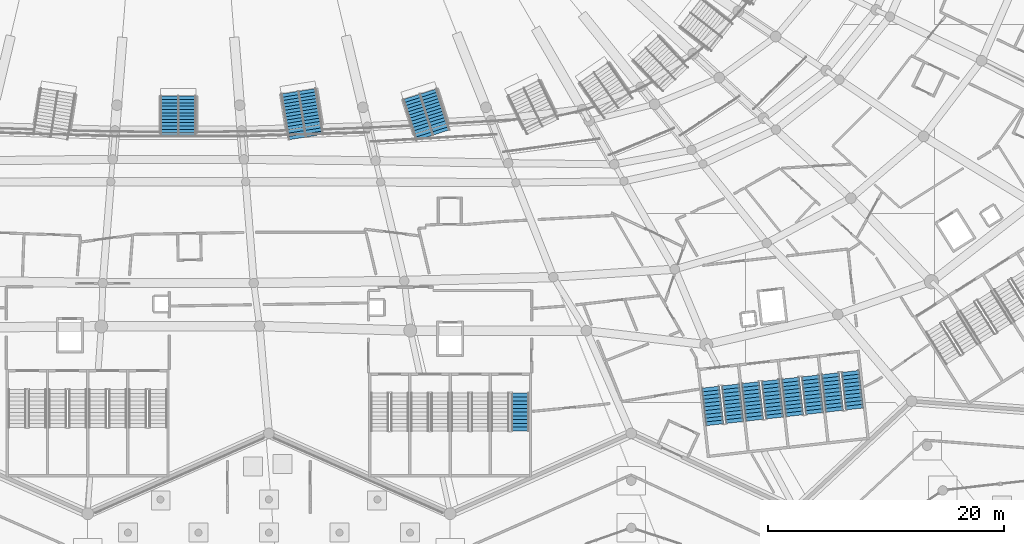
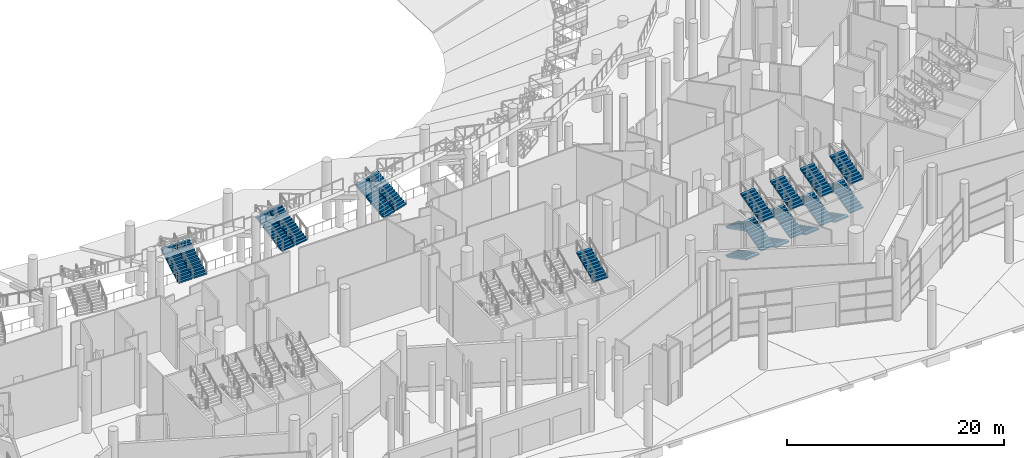
# One storey, part 166 of 255: 23 stair flights, 8 elements without a shape of their own.
"""IFC4 building model written with IfcOpenShell, lengths in metres."""

from ifc_helpers import new_model, si_unit, direction, frame, origin, place, context, subcontext, project, spatial, polyline, outline, extrude, material, type_object, element, aggregate, save


model = new_model("IFC4")

# Units and contexts
model_context = context("Model", 3, precision=1e-05, world=origin(), true_north=direction((0.0, 1.0)))
body_context = subcontext(model_context, "Body", "Model", "MODEL_VIEW")
ifc_project = project(units=[si_unit("LENGTHUNIT", "METRE"), si_unit("AREAUNIT", "SQUARE_METRE"), si_unit("VOLUMEUNIT", "CUBIC_METRE"), si_unit("PLANEANGLEUNIT", "RADIAN"), si_unit("MASSUNIT", "GRAM", prefix="KILO")], contexts=[model_context])

# Site, building, storey
site_placement = place(None, origin())
site = spatial("IfcSite", under=ifc_project, at=site_placement, CompositionType="ELEMENT")
building_placement = place(site_placement, origin())
building = spatial("IfcBuilding", under=site, at=building_placement, Name="Meseta Stadium", CompositionType="ELEMENT")
storey_placement = place(building_placement, origin())
storey = spatial("IfcBuildingStorey", under=building, at=storey_placement, Name="L00", CompositionType="ELEMENT", Elevation=0.0)

# Stair, stair flight
ifc_material_1 = material(Name="Concrete C40/50", Category="concrete")
stair_type_1 = type_object("IfcStairType", Name="Exit stair 4 flights 148 mm risers", PredefinedType="HALF_TURN_STAIR", material=ifc_material_1)
stair_1_placement = place(storey_placement, origin())
stair_1 = element("IfcStair", 1, at=stair_1_placement, inside=storey, type_object=stair_type_1, Name="ST100 L00", PredefinedType="HALF_TURN_STAIR")
ifc_material_2 = material(Name="Concrete C40/50", Category="concrete")
stair_flight_type_1 = type_object("IfcStairFlightType", Name="Exit stair flight 148 mm risers, 4 per storey", PredefinedType="STRAIGHT", material=ifc_material_2)
stair_flight_1_placement = place(storey_placement, frame((28.949951171875, -98.39990234375, 4.875), z_axis=(0.0, 0.0, 1.0), x_axis=(0.0, 1.0, 0.0)))
stair_flight_1 = element("IfcStairFlight", 2, at=stair_flight_1_placement, type_object=stair_flight_type_1, Name="ST100 L00 flight 4", NumberOfRisers=11, NumberOfTreads=10, PredefinedType="STRAIGHT", RiserHeight=0.147727273, TreadLength=0.32, context=body_context, shape_type="SweptSolid", body=[
    extrude(outline(polyline([(0.0, 0.0), (0.0, 0.147705078125), (0.320068359375, 0.147705078125), (0.320068359375, 0.29541015625), (0.639892578125, 0.29541015625), (0.639892578125, 0.443115234375), (0.9599609375, 0.443115234375), (0.9599609375, 0.5908203125), (1.280029296875, 0.5908203125), (1.280029296875, 0.738525390625), (1.60009765625, 0.738525390625), (1.60009765625, 0.886474609375), (1.919921875, 0.886474609375), (1.919921875, 1.0341796875), (2.239990234375, 1.0341796875), (2.239990234375, 1.181884765625), (2.56005859375, 1.181884765625), (2.56005859375, 1.32958984375), (2.8798828125, 1.32958984375), (2.8798828125, 1.477294921875), (3.199951171875, 1.477294921875), (3.199951171875, 1.312255859375), (0.357666015625, 0.0), (0.0, 0.0)])), frame((0.0, 0.75, 0.0), z_axis=(0.0, -1.0, 0.0), x_axis=(1.0, 0.0, 0.0)), (0.0, 0.0, 1.0), 1.5),
])
aggregate(stair_1, [stair_flight_1])

# Stair, stair flights
stair_2_placement = place(storey_placement, origin())
stair_2 = element("IfcStair", 3, at=stair_2_placement, inside=storey, type_object=stair_type_1, Name="ST101 L00", PredefinedType="HALF_TURN_STAIR")
stair_flight_2_placement = place(storey_placement, frame((45.04736328125, -94.687744140625, 0.0), z_axis=(0.0, 0.0, 1.0), x_axis=(0.11196446867, -0.993712210731, 0.0)))
stair_flight_2 = element("IfcStairFlight", 4, at=stair_flight_2_placement, type_object=stair_flight_type_1, Name="ST101 L00 flight 1", NumberOfRisers=11, NumberOfTreads=10, PredefinedType="STRAIGHT", RiserHeight=0.147727273, TreadLength=0.32, context=body_context, shape_type="SweptSolid", body=[
    extrude(outline(polyline([(0.0, 0.0), (0.0, 0.147705078125), (0.320068359375, 0.147705078125), (0.320068359375, 0.29541015625), (0.639892578125, 0.29541015625), (0.639892578125, 0.443115234375), (0.9599609375, 0.443115234375), (0.9599609375, 0.5908203125), (1.280029296875, 0.5908203125), (1.280029296875, 0.738525390625), (1.60009765625, 0.738525390625), (1.60009765625, 0.886474609375), (1.919921875, 0.886474609375), (1.919921875, 1.0341796875), (2.239990234375, 1.0341796875), (2.239990234375, 1.181884765625), (2.56005859375, 1.181884765625), (2.56005859375, 1.32958984375), (2.8798828125, 1.32958984375), (2.8798828125, 1.477294921875), (3.199951171875, 1.477294921875), (3.199951171875, 1.312255859375), (0.357666015625, 0.0), (0.0, 0.0)])), frame((0.0, 0.75, 0.0), z_axis=(0.0, -1.0, 0.0), x_axis=(1.0, 0.0, 0.0)), (0.0, 0.0, 1.0), 1.5),
])
stair_flight_3_placement = place(storey_placement, frame((47.094970703125, -97.67724609375, 1.625), z_axis=(0.0, 0.0, 1.0), x_axis=(-0.11196446867, 0.993712210731, 0.0)))
stair_flight_3 = element("IfcStairFlight", 5, at=stair_flight_3_placement, type_object=stair_flight_type_1, Name="ST101 L00 flight 2", NumberOfRisers=11, NumberOfTreads=10, PredefinedType="STRAIGHT", RiserHeight=0.147727273, TreadLength=0.32, context=body_context, shape_type="SweptSolid", body=[
    extrude(outline(polyline([(0.0, 0.0), (0.0, 0.147705078125), (0.320068359375, 0.147705078125), (0.320068359375, 0.29541015625), (0.639892578125, 0.29541015625), (0.639892578125, 0.443115234375), (0.9599609375, 0.443115234375), (0.9599609375, 0.5908203125), (1.280029296875, 0.5908203125), (1.280029296875, 0.738525390625), (1.60009765625, 0.738525390625), (1.60009765625, 0.886474609375), (1.919921875, 0.886474609375), (1.919921875, 1.0341796875), (2.239990234375, 1.0341796875), (2.239990234375, 1.181884765625), (2.56005859375, 1.181884765625), (2.56005859375, 1.32958984375), (2.8798828125, 1.32958984375), (2.8798828125, 1.477294921875), (3.199951171875, 1.477294921875), (3.199951171875, 1.312255859375), (0.357666015625, 0.0), (0.0, 0.0)])), frame((0.0, 0.75, 0.0), z_axis=(0.0, -1.0, 0.0), x_axis=(1.0, 0.0, 0.0)), (0.0, 0.0, 1.0), 1.5),
])
stair_flight_4_placement = place(storey_placement, frame((45.04736328125, -94.687744140625, 3.25), z_axis=(0.0, 0.0, 1.0), x_axis=(0.11196446867, -0.993712210731, 0.0)))
stair_flight_4 = element("IfcStairFlight", 6, at=stair_flight_4_placement, type_object=stair_flight_type_1, Name="ST101 L00 flight 3", NumberOfRisers=11, NumberOfTreads=10, PredefinedType="STRAIGHT", RiserHeight=0.147727273, TreadLength=0.32, context=body_context, shape_type="SweptSolid", body=[
    extrude(outline(polyline([(0.0, 0.0), (0.0, 0.147705078125), (0.320068359375, 0.147705078125), (0.320068359375, 0.29541015625), (0.639892578125, 0.29541015625), (0.639892578125, 0.443115234375), (0.9599609375, 0.443115234375), (0.9599609375, 0.5908203125), (1.280029296875, 0.5908203125), (1.280029296875, 0.738525390625), (1.60009765625, 0.738525390625), (1.60009765625, 0.886474609375), (1.919921875, 0.886474609375), (1.919921875, 1.0341796875), (2.239990234375, 1.0341796875), (2.239990234375, 1.181884765625), (2.56005859375, 1.181884765625), (2.56005859375, 1.32958984375), (2.8798828125, 1.32958984375), (2.8798828125, 1.477294921875), (3.199951171875, 1.477294921875), (3.199951171875, 1.312255859375), (0.357666015625, 0.0), (0.0, 0.0)])), frame((0.0, 0.75, 0.0), z_axis=(0.0, -1.0, 0.0), x_axis=(1.0, 0.0, 0.0)), (0.0, 0.0, 1.0), 1.5),
])
stair_flight_5_placement = place(storey_placement, frame((47.094970703125, -97.67724609375, 4.875), z_axis=(0.0, 0.0, 1.0), x_axis=(-0.11196446867, 0.993712210731, 0.0)))
stair_flight_5 = element("IfcStairFlight", 7, at=stair_flight_5_placement, type_object=stair_flight_type_1, Name="ST101 L00 flight 4", NumberOfRisers=11, NumberOfTreads=10, PredefinedType="STRAIGHT", RiserHeight=0.147727273, TreadLength=0.32, context=body_context, shape_type="SweptSolid", body=[
    extrude(outline(polyline([(0.0, 0.0), (0.0, 0.147705078125), (0.320068359375, 0.147705078125), (0.320068359375, 0.29541015625), (0.639892578125, 0.29541015625), (0.639892578125, 0.443115234375), (0.9599609375, 0.443115234375), (0.9599609375, 0.5908203125), (1.280029296875, 0.5908203125), (1.280029296875, 0.738525390625), (1.60009765625, 0.738525390625), (1.60009765625, 0.886474609375), (1.919921875, 0.886474609375), (1.919921875, 1.0341796875), (2.239990234375, 1.0341796875), (2.239990234375, 1.181884765625), (2.56005859375, 1.181884765625), (2.56005859375, 1.32958984375), (2.8798828125, 1.32958984375), (2.8798828125, 1.477294921875), (3.199951171875, 1.477294921875), (3.199951171875, 1.312255859375), (0.357666015625, 0.0), (0.0, 0.0)])), frame((0.0, 0.75, 0.0), z_axis=(0.0, -1.0, 0.0), x_axis=(1.0, 0.0, 0.0)), (0.0, 0.0, 1.0), 1.5),
])
aggregate(stair_2, [stair_flight_2, stair_flight_3, stair_flight_4, stair_flight_5])

stair_3_placement = place(storey_placement, origin())
stair_3 = element("IfcStair", 8, at=stair_3_placement, inside=storey, type_object=stair_type_1, Name="ST102 L00", PredefinedType="HALF_TURN_STAIR")
stair_flight_6_placement = place(storey_placement, frame((48.426025390625, -94.306884765625, 0.0), z_axis=(0.0, 0.0, 1.0), x_axis=(0.11196446867, -0.993712210731, 0.0)))
stair_flight_6 = element("IfcStairFlight", 9, at=stair_flight_6_placement, type_object=stair_flight_type_1, Name="ST102 L00 flight 1", NumberOfRisers=11, NumberOfTreads=10, PredefinedType="STRAIGHT", RiserHeight=0.147727273, TreadLength=0.32, context=body_context, shape_type="SweptSolid", body=[
    extrude(outline(polyline([(0.0, 0.0), (0.0, 0.147705078125), (0.320068359375, 0.147705078125), (0.320068359375, 0.29541015625), (0.639892578125, 0.29541015625), (0.639892578125, 0.443115234375), (0.9599609375, 0.443115234375), (0.9599609375, 0.5908203125), (1.280029296875, 0.5908203125), (1.280029296875, 0.738525390625), (1.60009765625, 0.738525390625), (1.60009765625, 0.886474609375), (1.919921875, 0.886474609375), (1.919921875, 1.0341796875), (2.239990234375, 1.0341796875), (2.239990234375, 1.181884765625), (2.56005859375, 1.181884765625), (2.56005859375, 1.32958984375), (2.8798828125, 1.32958984375), (2.8798828125, 1.477294921875), (3.199951171875, 1.477294921875), (3.199951171875, 1.312255859375), (0.357666015625, 0.0), (0.0, 0.0)])), frame((0.0, 0.75, 0.0), z_axis=(0.0, -1.0, 0.0), x_axis=(1.0, 0.0, 0.0)), (0.0, 0.0, 1.0), 1.5),
])
stair_flight_7_placement = place(storey_placement, frame((50.4736328125, -97.29638671875, 1.625), z_axis=(0.0, 0.0, 1.0), x_axis=(-0.11196446867, 0.993712210731, 0.0)))
stair_flight_7 = element("IfcStairFlight", 10, at=stair_flight_7_placement, type_object=stair_flight_type_1, Name="ST102 L00 flight 2", NumberOfRisers=11, NumberOfTreads=10, PredefinedType="STRAIGHT", RiserHeight=0.147727273, TreadLength=0.32, context=body_context, shape_type="SweptSolid", body=[
    extrude(outline(polyline([(0.0, 0.0), (0.0, 0.147705078125), (0.320068359375, 0.147705078125), (0.320068359375, 0.29541015625), (0.639892578125, 0.29541015625), (0.639892578125, 0.443115234375), (0.9599609375, 0.443115234375), (0.9599609375, 0.5908203125), (1.280029296875, 0.5908203125), (1.280029296875, 0.738525390625), (1.60009765625, 0.738525390625), (1.60009765625, 0.886474609375), (1.919921875, 0.886474609375), (1.919921875, 1.0341796875), (2.239990234375, 1.0341796875), (2.239990234375, 1.181884765625), (2.56005859375, 1.181884765625), (2.56005859375, 1.32958984375), (2.8798828125, 1.32958984375), (2.8798828125, 1.477294921875), (3.199951171875, 1.477294921875), (3.199951171875, 1.312255859375), (0.357666015625, 0.0), (0.0, 0.0)])), frame((0.0, 0.75, 0.0), z_axis=(0.0, -1.0, 0.0), x_axis=(1.0, 0.0, 0.0)), (0.0, 0.0, 1.0), 1.5),
])
stair_flight_8_placement = place(storey_placement, frame((48.426025390625, -94.306884765625, 3.25), z_axis=(0.0, 0.0, 1.0), x_axis=(0.11196446867, -0.993712210731, 0.0)))
stair_flight_8 = element("IfcStairFlight", 11, at=stair_flight_8_placement, type_object=stair_flight_type_1, Name="ST102 L00 flight 3", NumberOfRisers=11, NumberOfTreads=10, PredefinedType="STRAIGHT", RiserHeight=0.147727273, TreadLength=0.32, context=body_context, shape_type="SweptSolid", body=[
    extrude(outline(polyline([(0.0, 0.0), (0.0, 0.147705078125), (0.320068359375, 0.147705078125), (0.320068359375, 0.29541015625), (0.639892578125, 0.29541015625), (0.639892578125, 0.443115234375), (0.9599609375, 0.443115234375), (0.9599609375, 0.5908203125), (1.280029296875, 0.5908203125), (1.280029296875, 0.738525390625), (1.60009765625, 0.738525390625), (1.60009765625, 0.886474609375), (1.919921875, 0.886474609375), (1.919921875, 1.0341796875), (2.239990234375, 1.0341796875), (2.239990234375, 1.181884765625), (2.56005859375, 1.181884765625), (2.56005859375, 1.32958984375), (2.8798828125, 1.32958984375), (2.8798828125, 1.477294921875), (3.199951171875, 1.477294921875), (3.199951171875, 1.312255859375), (0.357666015625, 0.0), (0.0, 0.0)])), frame((0.0, 0.75, 0.0), z_axis=(0.0, -1.0, 0.0), x_axis=(1.0, 0.0, 0.0)), (0.0, 0.0, 1.0), 1.5),
])
stair_flight_9_placement = place(storey_placement, frame((50.4736328125, -97.29638671875, 4.875), z_axis=(0.0, 0.0, 1.0), x_axis=(-0.11196446867, 0.993712210731, 0.0)))
stair_flight_9 = element("IfcStairFlight", 12, at=stair_flight_9_placement, type_object=stair_flight_type_1, Name="ST102 L00 flight 4", NumberOfRisers=11, NumberOfTreads=10, PredefinedType="STRAIGHT", RiserHeight=0.147727273, TreadLength=0.32, context=body_context, shape_type="SweptSolid", body=[
    extrude(outline(polyline([(0.0, 0.0), (0.0, 0.147705078125), (0.320068359375, 0.147705078125), (0.320068359375, 0.29541015625), (0.639892578125, 0.29541015625), (0.639892578125, 0.443115234375), (0.9599609375, 0.443115234375), (0.9599609375, 0.5908203125), (1.280029296875, 0.5908203125), (1.280029296875, 0.738525390625), (1.60009765625, 0.738525390625), (1.60009765625, 0.886474609375), (1.919921875, 0.886474609375), (1.919921875, 1.0341796875), (2.239990234375, 1.0341796875), (2.239990234375, 1.181884765625), (2.56005859375, 1.181884765625), (2.56005859375, 1.32958984375), (2.8798828125, 1.32958984375), (2.8798828125, 1.477294921875), (3.199951171875, 1.477294921875), (3.199951171875, 1.312255859375), (0.357666015625, 0.0), (0.0, 0.0)])), frame((0.0, 0.75, 0.0), z_axis=(0.0, -1.0, 0.0), x_axis=(1.0, 0.0, 0.0)), (0.0, 0.0, 1.0), 1.5),
])
aggregate(stair_3, [stair_flight_6, stair_flight_7, stair_flight_8, stair_flight_9])

stair_4_placement = place(storey_placement, origin())
stair_4 = element("IfcStair", 13, at=stair_4_placement, inside=storey, type_object=stair_type_1, Name="ST103 L00", PredefinedType="HALF_TURN_STAIR")
stair_flight_10_placement = place(storey_placement, frame((51.8046875, -93.92626953125, 0.0), z_axis=(0.0, 0.0, 1.0), x_axis=(0.11196446867, -0.993712210731, 0.0)))
stair_flight_10 = element("IfcStairFlight", 14, at=stair_flight_10_placement, type_object=stair_flight_type_1, Name="ST103 L00 flight 1", NumberOfRisers=11, NumberOfTreads=10, PredefinedType="STRAIGHT", RiserHeight=0.147727273, TreadLength=0.32, context=body_context, shape_type="SweptSolid", body=[
    extrude(outline(polyline([(0.0, 0.0), (0.0, 0.147705078125), (0.320068359375, 0.147705078125), (0.320068359375, 0.29541015625), (0.639892578125, 0.29541015625), (0.639892578125, 0.443115234375), (0.9599609375, 0.443115234375), (0.9599609375, 0.5908203125), (1.280029296875, 0.5908203125), (1.280029296875, 0.738525390625), (1.60009765625, 0.738525390625), (1.60009765625, 0.886474609375), (1.919921875, 0.886474609375), (1.919921875, 1.0341796875), (2.239990234375, 1.0341796875), (2.239990234375, 1.181884765625), (2.56005859375, 1.181884765625), (2.56005859375, 1.32958984375), (2.8798828125, 1.32958984375), (2.8798828125, 1.477294921875), (3.199951171875, 1.477294921875), (3.199951171875, 1.312255859375), (0.357666015625, 0.0), (0.0, 0.0)])), frame((0.0, 0.75, 0.0), z_axis=(0.0, -1.0, 0.0), x_axis=(1.0, 0.0, 0.0)), (0.0, 0.0, 1.0), 1.5),
])
stair_flight_11_placement = place(storey_placement, frame((53.852294921875, -96.915771484375, 1.625), z_axis=(0.0, 0.0, 1.0), x_axis=(-0.11196446867, 0.993712210731, 0.0)))
stair_flight_11 = element("IfcStairFlight", 15, at=stair_flight_11_placement, type_object=stair_flight_type_1, Name="ST103 L00 flight 2", NumberOfRisers=11, NumberOfTreads=10, PredefinedType="STRAIGHT", RiserHeight=0.147727273, TreadLength=0.32, context=body_context, shape_type="SweptSolid", body=[
    extrude(outline(polyline([(0.0, 0.0), (0.0, 0.147705078125), (0.320068359375, 0.147705078125), (0.320068359375, 0.29541015625), (0.639892578125, 0.29541015625), (0.639892578125, 0.443115234375), (0.9599609375, 0.443115234375), (0.9599609375, 0.5908203125), (1.280029296875, 0.5908203125), (1.280029296875, 0.738525390625), (1.60009765625, 0.738525390625), (1.60009765625, 0.886474609375), (1.919921875, 0.886474609375), (1.919921875, 1.0341796875), (2.239990234375, 1.0341796875), (2.239990234375, 1.181884765625), (2.56005859375, 1.181884765625), (2.56005859375, 1.32958984375), (2.8798828125, 1.32958984375), (2.8798828125, 1.477294921875), (3.199951171875, 1.477294921875), (3.199951171875, 1.312255859375), (0.357666015625, 0.0), (0.0, 0.0)])), frame((0.0, 0.75, 0.0), z_axis=(0.0, -1.0, 0.0), x_axis=(1.0, 0.0, 0.0)), (0.0, 0.0, 1.0), 1.5),
])
stair_flight_12_placement = place(storey_placement, frame((51.8046875, -93.92626953125, 3.25), z_axis=(0.0, 0.0, 1.0), x_axis=(0.11196446867, -0.993712210731, 0.0)))
stair_flight_12 = element("IfcStairFlight", 16, at=stair_flight_12_placement, type_object=stair_flight_type_1, Name="ST103 L00 flight 3", NumberOfRisers=11, NumberOfTreads=10, PredefinedType="STRAIGHT", RiserHeight=0.147727273, TreadLength=0.32, context=body_context, shape_type="SweptSolid", body=[
    extrude(outline(polyline([(0.0, 0.0), (0.0, 0.147705078125), (0.320068359375, 0.147705078125), (0.320068359375, 0.29541015625), (0.639892578125, 0.29541015625), (0.639892578125, 0.443115234375), (0.9599609375, 0.443115234375), (0.9599609375, 0.5908203125), (1.280029296875, 0.5908203125), (1.280029296875, 0.738525390625), (1.60009765625, 0.738525390625), (1.60009765625, 0.886474609375), (1.919921875, 0.886474609375), (1.919921875, 1.0341796875), (2.239990234375, 1.0341796875), (2.239990234375, 1.181884765625), (2.56005859375, 1.181884765625), (2.56005859375, 1.32958984375), (2.8798828125, 1.32958984375), (2.8798828125, 1.477294921875), (3.199951171875, 1.477294921875), (3.199951171875, 1.312255859375), (0.357666015625, 0.0), (0.0, 0.0)])), frame((0.0, 0.75, 0.0), z_axis=(0.0, -1.0, 0.0), x_axis=(1.0, 0.0, 0.0)), (0.0, 0.0, 1.0), 1.5),
])
stair_flight_13_placement = place(storey_placement, frame((53.852294921875, -96.915771484375, 4.875), z_axis=(0.0, 0.0, 1.0), x_axis=(-0.11196446867, 0.993712210731, 0.0)))
stair_flight_13 = element("IfcStairFlight", 17, at=stair_flight_13_placement, type_object=stair_flight_type_1, Name="ST103 L00 flight 4", NumberOfRisers=11, NumberOfTreads=10, PredefinedType="STRAIGHT", RiserHeight=0.147727273, TreadLength=0.32, context=body_context, shape_type="SweptSolid", body=[
    extrude(outline(polyline([(0.0, 0.0), (0.0, 0.147705078125), (0.320068359375, 0.147705078125), (0.320068359375, 0.29541015625), (0.639892578125, 0.29541015625), (0.639892578125, 0.443115234375), (0.9599609375, 0.443115234375), (0.9599609375, 0.5908203125), (1.280029296875, 0.5908203125), (1.280029296875, 0.738525390625), (1.60009765625, 0.738525390625), (1.60009765625, 0.886474609375), (1.919921875, 0.886474609375), (1.919921875, 1.0341796875), (2.239990234375, 1.0341796875), (2.239990234375, 1.181884765625), (2.56005859375, 1.181884765625), (2.56005859375, 1.32958984375), (2.8798828125, 1.32958984375), (2.8798828125, 1.477294921875), (3.199951171875, 1.477294921875), (3.199951171875, 1.312255859375), (0.357666015625, 0.0), (0.0, 0.0)])), frame((0.0, 0.75, 0.0), z_axis=(0.0, -1.0, 0.0), x_axis=(1.0, 0.0, 0.0)), (0.0, 0.0, 1.0), 1.5),
])
aggregate(stair_4, [stair_flight_10, stair_flight_11, stair_flight_12, stair_flight_13])

stair_5_placement = place(storey_placement, origin())
stair_5 = element("IfcStair", 18, at=stair_5_placement, inside=storey, type_object=stair_type_1, Name="ST104 L00", PredefinedType="HALF_TURN_STAIR")
stair_flight_14_placement = place(storey_placement, frame((55.183349609375, -93.545654296875, 0.0), z_axis=(0.0, 0.0, 1.0), x_axis=(0.11196446867, -0.993712210731, 0.0)))
stair_flight_14 = element("IfcStairFlight", 19, at=stair_flight_14_placement, type_object=stair_flight_type_1, Name="ST104 L00 flight 1", NumberOfRisers=11, NumberOfTreads=10, PredefinedType="STRAIGHT", RiserHeight=0.147727273, TreadLength=0.32, context=body_context, shape_type="SweptSolid", body=[
    extrude(outline(polyline([(0.0, 0.0), (0.0, 0.147705078125), (0.320068359375, 0.147705078125), (0.320068359375, 0.29541015625), (0.639892578125, 0.29541015625), (0.639892578125, 0.443115234375), (0.9599609375, 0.443115234375), (0.9599609375, 0.5908203125), (1.280029296875, 0.5908203125), (1.280029296875, 0.738525390625), (1.60009765625, 0.738525390625), (1.60009765625, 0.886474609375), (1.919921875, 0.886474609375), (1.919921875, 1.0341796875), (2.239990234375, 1.0341796875), (2.239990234375, 1.181884765625), (2.56005859375, 1.181884765625), (2.56005859375, 1.32958984375), (2.8798828125, 1.32958984375), (2.8798828125, 1.477294921875), (3.199951171875, 1.477294921875), (3.199951171875, 1.312255859375), (0.357666015625, 0.0), (0.0, 0.0)])), frame((0.0, 0.75, 0.0), z_axis=(0.0, -1.0, 0.0), x_axis=(1.0, 0.0, 0.0)), (0.0, 0.0, 1.0), 1.5),
])
stair_flight_15_placement = place(storey_placement, frame((57.23095703125, -96.53515625, 1.625), z_axis=(0.0, 0.0, 1.0), x_axis=(-0.11196446867, 0.993712210731, 0.0)))
stair_flight_15 = element("IfcStairFlight", 20, at=stair_flight_15_placement, type_object=stair_flight_type_1, Name="ST104 L00 flight 2", NumberOfRisers=11, NumberOfTreads=10, PredefinedType="STRAIGHT", RiserHeight=0.147727273, TreadLength=0.32, context=body_context, shape_type="SweptSolid", body=[
    extrude(outline(polyline([(0.0, 0.0), (0.0, 0.147705078125), (0.320068359375, 0.147705078125), (0.320068359375, 0.29541015625), (0.639892578125, 0.29541015625), (0.639892578125, 0.443115234375), (0.9599609375, 0.443115234375), (0.9599609375, 0.5908203125), (1.280029296875, 0.5908203125), (1.280029296875, 0.738525390625), (1.60009765625, 0.738525390625), (1.60009765625, 0.886474609375), (1.919921875, 0.886474609375), (1.919921875, 1.0341796875), (2.239990234375, 1.0341796875), (2.239990234375, 1.181884765625), (2.56005859375, 1.181884765625), (2.56005859375, 1.32958984375), (2.8798828125, 1.32958984375), (2.8798828125, 1.477294921875), (3.199951171875, 1.477294921875), (3.199951171875, 1.312255859375), (0.357666015625, 0.0), (0.0, 0.0)])), frame((0.0, 0.75, 0.0), z_axis=(0.0, -1.0, 0.0), x_axis=(1.0, 0.0, 0.0)), (0.0, 0.0, 1.0), 1.5),
])
stair_flight_16_placement = place(storey_placement, frame((55.183349609375, -93.545654296875, 3.25), z_axis=(0.0, 0.0, 1.0), x_axis=(0.11196446867, -0.993712210731, 0.0)))
stair_flight_16 = element("IfcStairFlight", 21, at=stair_flight_16_placement, type_object=stair_flight_type_1, Name="ST104 L00 flight 3", NumberOfRisers=11, NumberOfTreads=10, PredefinedType="STRAIGHT", RiserHeight=0.147727273, TreadLength=0.32, context=body_context, shape_type="SweptSolid", body=[
    extrude(outline(polyline([(0.0, 0.0), (0.0, 0.147705078125), (0.320068359375, 0.147705078125), (0.320068359375, 0.29541015625), (0.639892578125, 0.29541015625), (0.639892578125, 0.443115234375), (0.9599609375, 0.443115234375), (0.9599609375, 0.5908203125), (1.280029296875, 0.5908203125), (1.280029296875, 0.738525390625), (1.60009765625, 0.738525390625), (1.60009765625, 0.886474609375), (1.919921875, 0.886474609375), (1.919921875, 1.0341796875), (2.239990234375, 1.0341796875), (2.239990234375, 1.181884765625), (2.56005859375, 1.181884765625), (2.56005859375, 1.32958984375), (2.8798828125, 1.32958984375), (2.8798828125, 1.477294921875), (3.199951171875, 1.477294921875), (3.199951171875, 1.312255859375), (0.357666015625, 0.0), (0.0, 0.0)])), frame((0.0, 0.75, 0.0), z_axis=(0.0, -1.0, 0.0), x_axis=(1.0, 0.0, 0.0)), (0.0, 0.0, 1.0), 1.5),
])
stair_flight_17_placement = place(storey_placement, frame((57.23095703125, -96.53515625, 4.875), z_axis=(0.0, 0.0, 1.0), x_axis=(-0.11196446867, 0.993712210731, 0.0)))
stair_flight_17 = element("IfcStairFlight", 22, at=stair_flight_17_placement, type_object=stair_flight_type_1, Name="ST104 L00 flight 4", NumberOfRisers=11, NumberOfTreads=10, PredefinedType="STRAIGHT", RiserHeight=0.147727273, TreadLength=0.32, context=body_context, shape_type="SweptSolid", body=[
    extrude(outline(polyline([(0.0, 0.0), (0.0, 0.147705078125), (0.320068359375, 0.147705078125), (0.320068359375, 0.29541015625), (0.639892578125, 0.29541015625), (0.639892578125, 0.443115234375), (0.9599609375, 0.443115234375), (0.9599609375, 0.5908203125), (1.280029296875, 0.5908203125), (1.280029296875, 0.738525390625), (1.60009765625, 0.738525390625), (1.60009765625, 0.886474609375), (1.919921875, 0.886474609375), (1.919921875, 1.0341796875), (2.239990234375, 1.0341796875), (2.239990234375, 1.181884765625), (2.56005859375, 1.181884765625), (2.56005859375, 1.32958984375), (2.8798828125, 1.32958984375), (2.8798828125, 1.477294921875), (3.199951171875, 1.477294921875), (3.199951171875, 1.312255859375), (0.357666015625, 0.0), (0.0, 0.0)])), frame((0.0, 0.75, 0.0), z_axis=(0.0, -1.0, 0.0), x_axis=(1.0, 0.0, 0.0)), (0.0, 0.0, 1.0), 1.5),
])
aggregate(stair_5, [stair_flight_14, stair_flight_15, stair_flight_16, stair_flight_17])

ifc_material_3 = material(Name="Concrete C40/50", Category="concrete")
stair_type_2 = type_object("IfcStairType", Name="Vomitory stair 3000", PredefinedType="STRAIGHT_RUN_STAIR", material=ifc_material_3)
stair_6_placement = place(storey_placement, origin())
stair_6 = element("IfcStair", 23, at=stair_6_placement, inside=storey, type_object=stair_type_2, Name="Vomitory V-lower-47", PredefinedType="STRAIGHT_RUN_STAIR")
ifc_material_4 = material(Name="Concrete C40/50", Category="concrete")
stair_flight_type_2 = type_object("IfcStairFlightType", Name="Vomitory stair flight 1450", PredefinedType="STRAIGHT", material=ifc_material_4)
stair_flight_18_placement = place(storey_placement, frame((-0.77490234375, -73.42822265625, 0.0), z_axis=(0.0, 0.0, 1.0), x_axis=(0.0, 1.0, 0.0)))
stair_flight_18 = element("IfcStairFlight", 24, at=stair_flight_18_placement, type_object=stair_flight_type_2, Name="Vomitory V-lower-47 flight 1", NumberOfRisers=13, NumberOfTreads=12, PredefinedType="STRAIGHT", RiserHeight=0.16422, TreadLength=0.28, context=body_context, shape_type="SweptSolid", body=[
    extrude(outline(polyline([(0.0, 0.0), (0.0, 0.164306640625), (0.280029296875, 0.164306640625), (0.280029296875, 0.328369140625), (0.56005859375, 0.328369140625), (0.56005859375, 0.49267578125), (0.840087890625, 0.49267578125), (0.840087890625, 0.656982421875), (1.1201171875, 0.656982421875), (1.1201171875, 0.821044921875), (1.39990234375, 0.821044921875), (1.39990234375, 0.9853515625), (1.679931640625, 0.9853515625), (1.679931640625, 1.149658203125), (1.9599609375, 1.149658203125), (1.9599609375, 1.313720703125), (2.239990234375, 1.313720703125), (2.239990234375, 1.47802734375), (2.52001953125, 1.47802734375), (2.52001953125, 1.64208984375), (2.800048828125, 1.64208984375), (2.800048828125, 1.806396484375), (3.080078125, 1.806396484375), (3.080078125, 1.970703125), (3.360107421875, 1.970703125), (3.360107421875, 1.796875), (0.29638671875, 0.0), (0.0, 0.0)])), frame((0.0, 0.72509765625, 0.0), z_axis=(0.0, -1.0, 0.0), x_axis=(1.0, 0.0, 0.0)), (0.0, 0.0, 1.0), 1.449951171875),
])
stair_flight_19_placement = place(storey_placement, frame((0.77490234375, -73.42822265625, 0.0), z_axis=(0.0, 0.0, 1.0), x_axis=(0.0, 1.0, 0.0)))
stair_flight_19 = element("IfcStairFlight", 25, at=stair_flight_19_placement, type_object=stair_flight_type_2, Name="Vomitory V-lower-47 flight 2", NumberOfRisers=13, NumberOfTreads=12, PredefinedType="STRAIGHT", RiserHeight=0.16422, TreadLength=0.28, context=body_context, shape_type="SweptSolid", body=[
    extrude(outline(polyline([(0.0, 0.0), (0.0, 0.164306640625), (0.280029296875, 0.164306640625), (0.280029296875, 0.328369140625), (0.56005859375, 0.328369140625), (0.56005859375, 0.49267578125), (0.840087890625, 0.49267578125), (0.840087890625, 0.656982421875), (1.1201171875, 0.656982421875), (1.1201171875, 0.821044921875), (1.39990234375, 0.821044921875), (1.39990234375, 0.9853515625), (1.679931640625, 0.9853515625), (1.679931640625, 1.149658203125), (1.9599609375, 1.149658203125), (1.9599609375, 1.313720703125), (2.239990234375, 1.313720703125), (2.239990234375, 1.47802734375), (2.52001953125, 1.47802734375), (2.52001953125, 1.64208984375), (2.800048828125, 1.64208984375), (2.800048828125, 1.806396484375), (3.080078125, 1.806396484375), (3.080078125, 1.970703125), (3.360107421875, 1.970703125), (3.360107421875, 1.796875), (0.29638671875, 0.0), (0.0, 0.0)])), frame((0.0, 0.72509765625, 0.0), z_axis=(0.0, -1.0, 0.0), x_axis=(1.0, 0.0, 0.0)), (0.0, 0.0, 1.0), 1.449951171875),
])
aggregate(stair_6, [stair_flight_18, stair_flight_19])

stair_7_placement = place(storey_placement, origin())
stair_7 = element("IfcStair", 26, at=stair_7_placement, inside=storey, type_object=stair_type_2, Name="Vomitory V-lower-48", PredefinedType="STRAIGHT_RUN_STAIR")
stair_flight_20_placement = place(storey_placement, frame((10.038330078125, -73.644287109375, 0.0), z_axis=(0.0, 0.0, 1.0), x_axis=(-0.15676715754, 0.987635589839, 0.0)))
stair_flight_20 = element("IfcStairFlight", 27, at=stair_flight_20_placement, type_object=stair_flight_type_2, Name="Vomitory V-lower-48 flight 1", NumberOfRisers=15, NumberOfTreads=14, PredefinedType="STRAIGHT", RiserHeight=0.132206, TreadLength=0.28, context=body_context, shape_type="SweptSolid", body=[
    extrude(outline(polyline([(0.0, 0.0), (0.0, 0.13232421875), (0.280029296875, 0.13232421875), (0.280029296875, 0.264404296875), (0.56005859375, 0.264404296875), (0.56005859375, 0.396728515625), (0.840087890625, 0.396728515625), (0.840087890625, 0.52880859375), (1.1201171875, 0.52880859375), (1.1201171875, 0.6611328125), (1.39990234375, 0.6611328125), (1.39990234375, 0.793212890625), (1.679931640625, 0.793212890625), (1.679931640625, 0.925537109375), (1.9599609375, 0.925537109375), (1.9599609375, 1.0576171875), (2.239990234375, 1.0576171875), (2.239990234375, 1.18994140625), (2.52001953125, 1.18994140625), (2.52001953125, 1.322021484375), (2.800048828125, 1.322021484375), (2.800048828125, 1.454345703125), (3.080078125, 1.454345703125), (3.080078125, 1.58642578125), (3.360107421875, 1.58642578125), (3.360107421875, 1.71875), (3.639892578125, 1.71875), (3.639892578125, 1.850830078125), (3.919921875, 1.850830078125), (3.919921875, 1.68505859375), (0.35107421875, 0.0), (0.0, 0.0)])), frame((0.0, 0.72509765625, 0.0), z_axis=(0.0, -1.0, 0.0), x_axis=(1.0, 0.0, 0.0)), (0.0, 0.0, 1.0), 1.449951171875),
])
stair_flight_21_placement = place(storey_placement, frame((11.569091796875, -73.4013671875, 0.0), z_axis=(0.0, 0.0, 1.0), x_axis=(-0.15676715754, 0.987635589839, 0.0)))
stair_flight_21 = element("IfcStairFlight", 28, at=stair_flight_21_placement, type_object=stair_flight_type_2, Name="Vomitory V-lower-48 flight 2", NumberOfRisers=15, NumberOfTreads=14, PredefinedType="STRAIGHT", RiserHeight=0.132206, TreadLength=0.28, context=body_context, shape_type="SweptSolid", body=[
    extrude(outline(polyline([(0.0, 0.0), (0.0, 0.13232421875), (0.280029296875, 0.13232421875), (0.280029296875, 0.264404296875), (0.56005859375, 0.264404296875), (0.56005859375, 0.396728515625), (0.840087890625, 0.396728515625), (0.840087890625, 0.52880859375), (1.1201171875, 0.52880859375), (1.1201171875, 0.6611328125), (1.39990234375, 0.6611328125), (1.39990234375, 0.793212890625), (1.679931640625, 0.793212890625), (1.679931640625, 0.925537109375), (1.9599609375, 0.925537109375), (1.9599609375, 1.0576171875), (2.239990234375, 1.0576171875), (2.239990234375, 1.18994140625), (2.52001953125, 1.18994140625), (2.52001953125, 1.322021484375), (2.800048828125, 1.322021484375), (2.800048828125, 1.454345703125), (3.080078125, 1.454345703125), (3.080078125, 1.58642578125), (3.360107421875, 1.58642578125), (3.360107421875, 1.71875), (3.639892578125, 1.71875), (3.639892578125, 1.850830078125), (3.919921875, 1.850830078125), (3.919921875, 1.68505859375), (0.35107421875, 0.0), (0.0, 0.0)])), frame((0.0, 0.72509765625, 0.0), z_axis=(0.0, -1.0, 0.0), x_axis=(1.0, 0.0, 0.0)), (0.0, 0.0, 1.0), 1.449951171875),
])
aggregate(stair_7, [stair_flight_20, stair_flight_21])

stair_8_placement = place(storey_placement, origin())
stair_8 = element("IfcStair", 29, at=stair_8_placement, inside=storey, type_object=stair_type_2, Name="Vomitory V-lower-49", PredefinedType="STRAIGHT_RUN_STAIR")
stair_flight_22_placement = place(storey_placement, frame((20.818603515625, -73.595703125, 0.0), z_axis=(0.0, 0.0, 1.0), x_axis=(-0.302579501013, 0.953124150133, 0.0)))
stair_flight_22 = element("IfcStairFlight", 30, at=stair_flight_22_placement, type_object=stair_flight_type_2, Name="Vomitory V-lower-49 flight 1", NumberOfRisers=14, NumberOfTreads=13, PredefinedType="STRAIGHT", RiserHeight=0.163589, TreadLength=0.28, context=body_context, shape_type="SweptSolid", body=[
    extrude(outline(polyline([(0.0, 0.0), (0.0, 0.16357421875), (0.280029296875, 0.16357421875), (0.280029296875, 0.3271484375), (0.56005859375, 0.3271484375), (0.56005859375, 0.49072265625), (0.840087890625, 0.49072265625), (0.840087890625, 0.654296875), (1.1201171875, 0.654296875), (1.1201171875, 0.81787109375), (1.39990234375, 0.81787109375), (1.39990234375, 0.9814453125), (1.679931640625, 0.9814453125), (1.679931640625, 1.14501953125), (1.9599609375, 1.14501953125), (1.9599609375, 1.30859375), (2.239990234375, 1.30859375), (2.239990234375, 1.472412109375), (2.52001953125, 1.472412109375), (2.52001953125, 1.635986328125), (2.800048828125, 1.635986328125), (2.800048828125, 1.799560546875), (3.080078125, 1.799560546875), (3.080078125, 1.963134765625), (3.360107421875, 1.963134765625), (3.360107421875, 2.126708984375), (3.639892578125, 2.126708984375), (3.639892578125, 1.953125), (0.297119140625, 0.0), (0.0, 0.0)])), frame((0.0, 0.72509765625, 0.0), z_axis=(0.0, -1.0, 0.0), x_axis=(1.0, 0.0, 0.0)), (0.0, 0.0, 1.0), 1.449951171875),
])
stair_flight_23_placement = place(storey_placement, frame((22.2958984375, -73.126708984375, 0.0), z_axis=(0.0, 0.0, 1.0), x_axis=(-0.302579501013, 0.953124150133, 0.0)))
stair_flight_23 = element("IfcStairFlight", 31, at=stair_flight_23_placement, type_object=stair_flight_type_2, Name="Vomitory V-lower-49 flight 2", NumberOfRisers=14, NumberOfTreads=13, PredefinedType="STRAIGHT", RiserHeight=0.163589, TreadLength=0.28, context=body_context, shape_type="SweptSolid", body=[
    extrude(outline(polyline([(0.0, 0.0), (0.0, 0.16357421875), (0.280029296875, 0.16357421875), (0.280029296875, 0.3271484375), (0.56005859375, 0.3271484375), (0.56005859375, 0.49072265625), (0.840087890625, 0.49072265625), (0.840087890625, 0.654296875), (1.1201171875, 0.654296875), (1.1201171875, 0.81787109375), (1.39990234375, 0.81787109375), (1.39990234375, 0.9814453125), (1.679931640625, 0.9814453125), (1.679931640625, 1.14501953125), (1.9599609375, 1.14501953125), (1.9599609375, 1.30859375), (2.239990234375, 1.30859375), (2.239990234375, 1.472412109375), (2.52001953125, 1.472412109375), (2.52001953125, 1.635986328125), (2.800048828125, 1.635986328125), (2.800048828125, 1.799560546875), (3.080078125, 1.799560546875), (3.080078125, 1.963134765625), (3.360107421875, 1.963134765625), (3.360107421875, 2.126708984375), (3.639892578125, 2.126708984375), (3.639892578125, 1.953125), (0.297119140625, 0.0), (0.0, 0.0)])), frame((0.0, 0.72509765625, 0.0), z_axis=(0.0, -1.0, 0.0), x_axis=(1.0, 0.0, 0.0)), (0.0, 0.0, 1.0), 1.449951171875),
])
aggregate(stair_8, [stair_flight_22, stair_flight_23])

save(model, "model.ifc")
